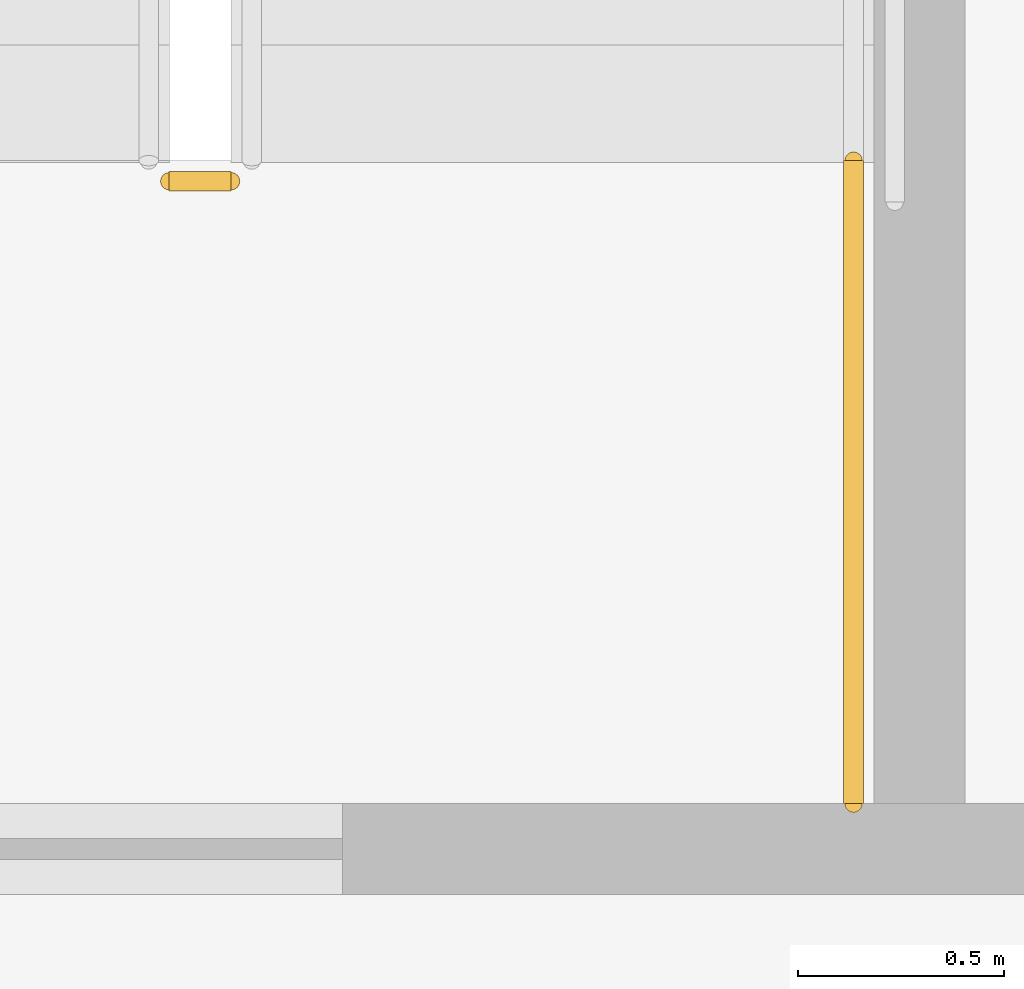
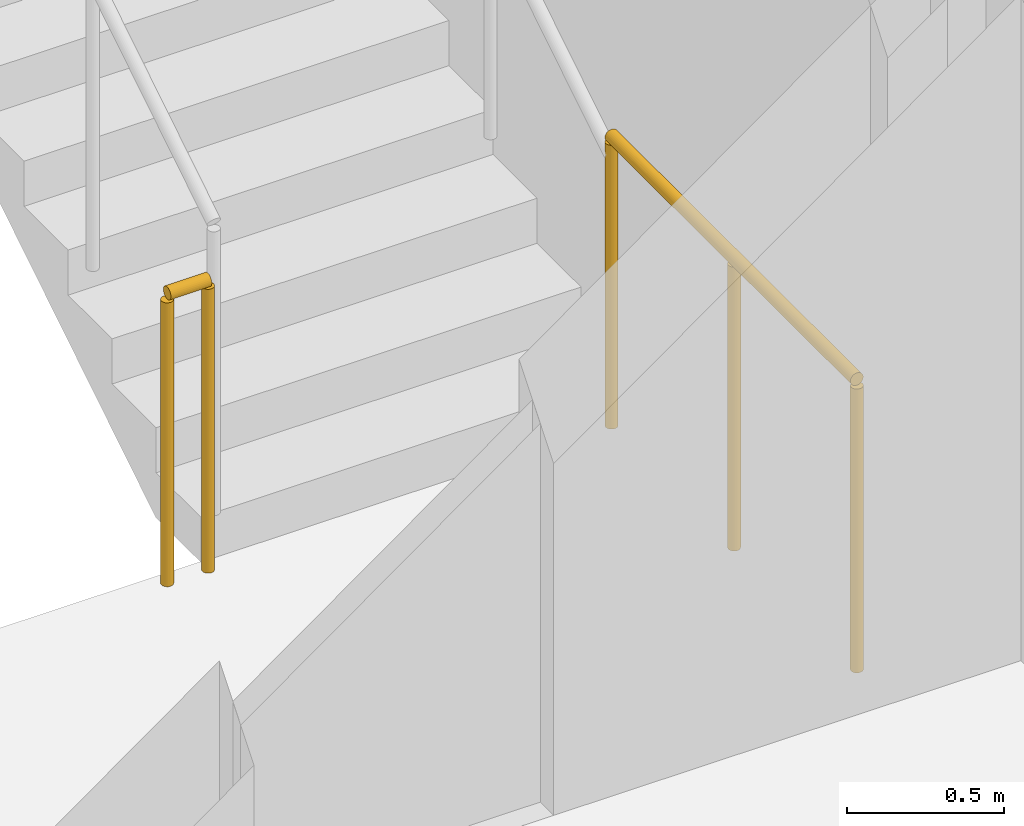
# One storey, part 12 of 15: 2 railings.
"""IFC4 building model written with IfcOpenShell, lengths in metres."""

from ifc_helpers import new_model, si_unit, direction, frame, origin, origin_2d, place, context, subcontext, project, spatial, circle, extrude, material, type_object, element, save


model = new_model("IFC4")

# Units and contexts
model_context = context("Model", 3, precision=1e-05, world=origin(), true_north=direction((0.0, 1.0)))
body_context = subcontext(model_context, "Body", "Model", "MODEL_VIEW")
ifc_project = project(units=[si_unit("LENGTHUNIT", "METRE"), si_unit("AREAUNIT", "SQUARE_METRE"), si_unit("VOLUMEUNIT", "CUBIC_METRE"), si_unit("PLANEANGLEUNIT", "RADIAN"), si_unit("MASSUNIT", "GRAM", prefix="KILO")], contexts=[model_context])

# Site, building, storey
site_placement = place(None, origin())
site = spatial("IfcSite", under=ifc_project, at=site_placement, CompositionType="ELEMENT")
building_placement = place(site_placement, origin())
building = spatial("IfcBuilding", under=site, at=building_placement, Name="Khairoan Windgate Tower", CompositionType="ELEMENT")
storey_placement = place(building_placement, frame((0.0, 0.0, 135.199951171875)))
storey = spatial("IfcBuildingStorey", under=building, at=storey_placement, Name="L31", CompositionType="ELEMENT", Elevation=135.199951171875)

# Railings
ifc_material = material(Name="Steel S355", Category="steel")
railing_type = type_object("IfcRailingType", Name="Stairwell Safety Guardrail SGR-1150", PredefinedType="GUARDRAIL", material=ifc_material)
railing_1_placement = place(storey_placement, frame((-17.7099609375, 2.909912109375, 0.0)))
element("IfcRailing", 1, at=railing_1_placement, inside=storey, type_object=railing_type, Name="L31 ST2 stair guard 7", PredefinedType="GUARDRAIL", context=body_context, shape_type="SweptSolid", body=[
    extrude(circle(Radius=0.02392578125, at=origin_2d()), frame((0.0, 0.0, 1.1259765625), z_axis=(-1.0, 0.0, 0.0), x_axis=(0.0, -1.0, 0.0)), (0.0, 0.0, 1.0), 0.150146484375),
    extrude(circle(Radius=0.02099609375, at=origin_2d()), origin(), (0.0, 0.0, 1.0), 1.101806640625),
    extrude(circle(Radius=0.02099609375, at=origin_2d()), frame((-0.150146484375, 0.0, 0.0)), (0.0, 0.0, 1.0), 1.101806640625),
])
railing_2_placement = place(storey_placement, frame((-16.199951171875, 1.39990234375, 0.0)))
element("IfcRailing", 2, at=railing_2_placement, inside=storey, type_object=railing_type, Name="L31 ST2 stair guard 8", PredefinedType="GUARDRAIL", context=body_context, shape_type="SweptSolid", body=[
    extrude(circle(Radius=0.02392578125, at=origin_2d()), frame((0.0, 0.0, 1.1259765625), z_axis=(0.0, 1.0, 0.0), x_axis=(-1.0, 0.0, 0.0)), (0.0, 0.0, 1.0), 1.56005859375),
    extrude(circle(Radius=0.02099609375, at=origin_2d()), origin(), (0.0, 0.0, 1.0), 1.101806640625),
    extrude(circle(Radius=0.02099609375, at=origin_2d()), frame((0.0, 0.780029296875, 0.0)), (0.0, 0.0, 1.0), 1.101806640625),
    extrude(circle(Radius=0.02099609375, at=origin_2d()), frame((0.0, 1.56005859375, 0.0)), (0.0, 0.0, 1.0), 1.101806640625),
])

save(model, "model.ifc")
